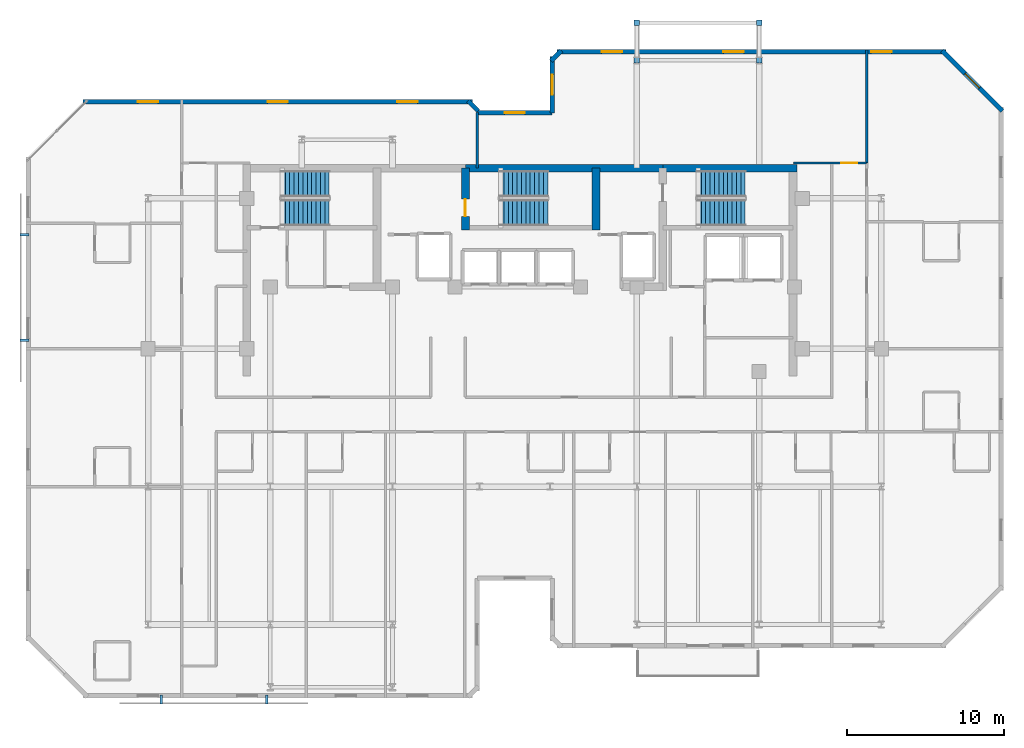
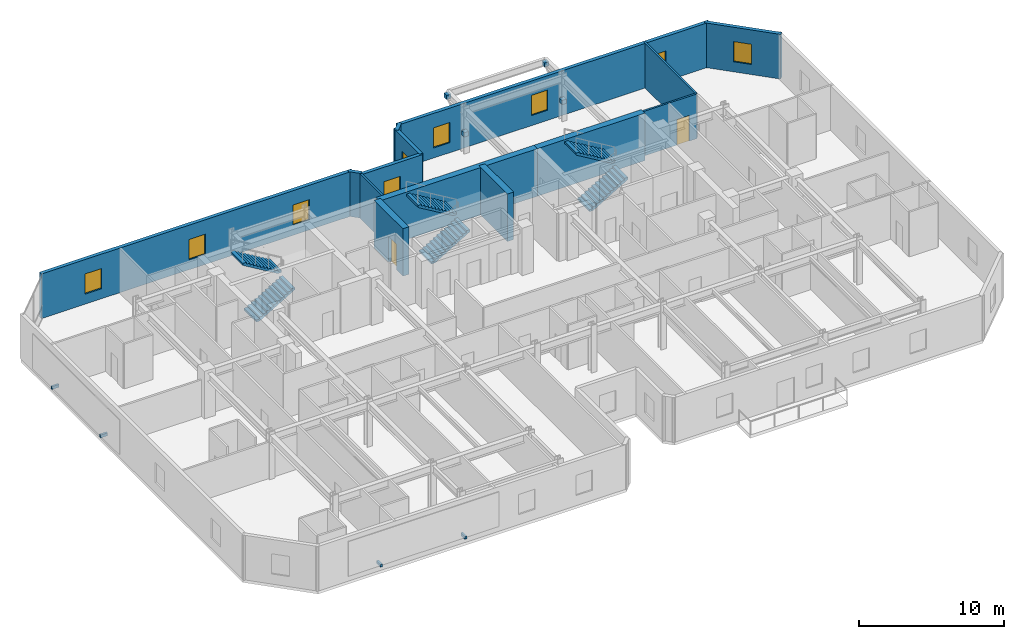
# One storey, part 8 of 10: 14 walls, 9 windows, 8 discrete accessories, 6 stair flights, 2 doors, 11 openings, 3 elements without a shape of their own.
"""IFC4 building model written with IfcOpenShell, lengths in metres."""

from ifc_helpers import new_model, si_unit, direction, frame, frame_2d, origin, origin_2d, place, context, subcontext, project, spatial, polyline, rectangle, outline, extrude, material, layer, layer_set, type_object, element, fill, aggregate, save


model = new_model("IFC4")

# Units and contexts
model_context = context("Model", 3, precision=1e-05, world=origin(), true_north=direction((0.0, 1.0)))
body_context = subcontext(model_context, "Body", "Model", "MODEL_VIEW")
ifc_project = project(units=[si_unit("LENGTHUNIT", "METRE"), si_unit("AREAUNIT", "SQUARE_METRE"), si_unit("VOLUMEUNIT", "CUBIC_METRE"), si_unit("PLANEANGLEUNIT", "RADIAN"), si_unit("MASSUNIT", "GRAM", prefix="KILO")], contexts=[model_context])

# Site, building, storey
site_placement = place(None, origin())
site = spatial("IfcSite", under=ifc_project, at=site_placement, CompositionType="ELEMENT")
building_placement = place(site_placement, origin())
building = spatial("IfcBuilding", under=site, at=building_placement, Name="Kestravale Grand Hotel", CompositionType="ELEMENT")
storey_placement = place(building_placement, frame((0.0, 0.0, 253.39990234375)))
storey = spatial("IfcBuildingStorey", under=building, at=storey_placement, Name="L63", CompositionType="ELEMENT", Elevation=253.39990234375)

# Walls
ifc_material_1 = material(Name="Concrete f'c 50 MPa", Category="concrete")
ifc_layer_1 = layer(ifc_material_1, 0.5)
ifc_layer_set_1 = layer_set([ifc_layer_1], Name="EW-CORE-500")
wall_type_1 = type_object("IfcWallType", Name="EW-CORE-500", PredefinedType="SHEAR", material=ifc_layer_set_1)
wall_1_placement = place(storey_placement, frame((35.85009765625, 40.320068359375, 0.0), z_axis=(0.0, 0.0, 1.0), x_axis=(1.0, 0.0, 0.0)))
element("IfcWall", 1, at=wall_1_placement, inside=storey, type_object=wall_type_1, Name="L63 core shear wall N2", PredefinedType="SHEAR", context=body_context, shape_type="SweptSolid", body=[
    extrude(rectangle(XDim=12.599853515625, YDim=0.5, at=frame_2d((6.2998046875, 0.0))), origin(), (0.0, 0.0, 1.0), 4.0),
])
wall_2_placement = place(storey_placement, frame((48.449951171875, 40.320068359375, 0.0), z_axis=(0.0, 0.0, 1.0), x_axis=(1.0, 0.0, 0.0)))
element("IfcWall", 2, at=wall_2_placement, inside=storey, type_object=wall_type_1, Name="L63 core shear wall N3", PredefinedType="SHEAR", context=body_context, shape_type="SweptSolid", body=[
    extrude(rectangle(XDim=8.570068359375, YDim=0.5, at=frame_2d((4.28515625, 0.0))), origin(), (0.0, 0.0, 1.0), 4.0),
])

# Wall, opening, door
wall_3_placement = place(storey_placement, frame((35.85009765625, 36.3701171875, 0.0), z_axis=(0.0, 0.0, 1.0), x_axis=(0.0, 1.0, 0.0)))
wall_3 = element("IfcWall", 3, at=wall_3_placement, inside=storey, type_object=wall_type_1, Name="L63 core shear wall X2", PredefinedType="SHEAR", context=body_context, shape_type="SweptSolid", body=[
    extrude(rectangle(XDim=3.949951171875, YDim=0.5, at=frame_2d((1.97509765625, 0.0))), origin(), (0.0, 0.0, 1.0), 4.0),
])
opening_1_placement = place(wall_3_placement, frame((0.8798828125, 0.0, 0.0)))
opening_1 = element("IfcOpeningElement", 4, at=opening_1_placement, cuts=wall_3, Name="Opening D-ST-1100", PredefinedType="OPENING", context=body_context, shape_type="SweptSolid", body=[
    extrude(rectangle(XDim=1.10009765625, YDim=2.14990234375, at=frame_2d((0.550048828125, 1.074951171875))), frame((0.0, 0.260009765625, 0.0), z_axis=(0.0, -1.0, 0.0), x_axis=(1.0, 0.0, 0.0)), (0.0, 0.0, 1.0), 0.52001953125),
])
ifc_material_2 = material(Name="Galvanised 90-minute fire-rated steel stair door", Category="steel")
door_type_1 = type_object("IfcDoorType", Name="D-ST-1100", OperationType="NOTDEFINED", PredefinedType="DOOR", material=ifc_material_2)
door_1_placement = place(opening_1_placement, origin())
door_1 = element("IfcDoor", 5, at=door_1_placement, inside=storey, type_object=door_type_1, Name="L63 Stair ST-2 FSAE fire door", OperationType="SINGLE_SWING_RIGHT", OverallHeight=2.14990234375, OverallWidth=1.10009765625, PredefinedType="DOOR", context=body_context, shape_type="SweptSolid", body=[
    extrude(rectangle(XDim=1.10009765625, YDim=2.14990234375, at=frame_2d((0.550048828125, 1.074951171875))), frame((0.0, 0.02490234375, 0.0), z_axis=(0.0, -1.0, 0.0), x_axis=(1.0, 0.0, 0.0)), (0.0, 0.0, 1.0), 0.050048828125),
])
fill(opening_1, door_1)

# Wall
wall_4_placement = place(storey_placement, frame((44.179931640625, 36.3701171875, 0.0), z_axis=(0.0, 0.0, 1.0), x_axis=(0.0, 1.0, 0.0)))
element("IfcWall", 6, at=wall_4_placement, inside=storey, type_object=wall_type_1, Name="L63 core shear wall X3", PredefinedType="SHEAR", context=body_context, shape_type="SweptSolid", body=[
    extrude(rectangle(XDim=3.949951171875, YDim=0.5, at=frame_2d((1.97509765625, 0.0))), origin(), (0.0, 0.0, 1.0), 4.0),
])

# Wall, opening, window
ifc_material_3 = material(Name="Precast concrete f'c 45 MPa", Category="concrete")
ifc_layer_2 = layer(ifc_material_3, 0.280029296875)
ifc_layer_set_2 = layer_set([ifc_layer_2], Name="EW-PREC-280")
wall_type_2 = type_object("IfcWallType", Name="EW-PREC-280", PredefinedType="SOLIDWALL", material=ifc_layer_set_2)
wall_5_placement = place(storey_placement, frame((70.12939453125, 43.97265625, 0.0), z_axis=(0.0, 0.0, 1.0), x_axis=(-0.707106781187, 0.707106781187, 0.0)))
wall_5 = element("IfcWall", 7, at=wall_5_placement, inside=storey, type_object=wall_type_2, Name="L63 fluted precast facade wall 10", PredefinedType="SOLIDWALL", context=body_context, shape_type="SweptSolid", body=[
    extrude(rectangle(XDim=5.4541015625, YDim=0.280029296875, at=frame_2d((2.72705078125, 0.0))), origin(), (0.0, 0.0, 1.0), 3.760009765625),
])
opening_2_placement = place(wall_5_placement, frame((2.076904296875, 0.0, 0.85009765625)))
opening_2 = element("IfcOpeningElement", 8, at=opening_2_placement, cuts=wall_5, Name="Opening W-GUEST-1300", PredefinedType="OPENING", context=body_context, shape_type="SweptSolid", body=[
    extrude(rectangle(XDim=1.300048828125, YDim=1.699951171875, at=frame_2d((0.64990234375, 0.85009765625))), frame((0.0, 0.14990234375, 0.0), z_axis=(0.0, -1.0, 0.0), x_axis=(1.0, 0.0, 0.0)), (0.0, 0.0, 1.0), 0.300048828125),
])
ifc_material_4 = material(Name="Insulated low-E double glazing in aluminium frame", Category="aluminium")
window_type = type_object("IfcWindowType", Name="W-GUEST-1300", PartitioningType="SINGLE_PANEL", PredefinedType="WINDOW", material=ifc_material_4)
window_1_placement = place(opening_2_placement, origin())
window_1 = element("IfcWindow", 9, at=window_1_placement, inside=storey, type_object=window_type, Name="L63 exterior window 10.1", OverallHeight=1.699951171875, OverallWidth=1.300048828125, PartitioningType="SINGLE_PANEL", PredefinedType="WINDOW", context=body_context, shape_type="SweptSolid", body=[
    extrude(rectangle(XDim=1.300048828125, YDim=1.699951171875, at=frame_2d((0.64990234375, 0.85009765625))), frame((0.0, 0.030029296875, 0.0), z_axis=(0.0, -1.0, 0.0), x_axis=(1.0, 0.0, 0.0)), (0.0, 0.0, 1.0), 0.06005859375),
])
fill(opening_2, window_1)

# Wall, openings, windows
wall_6_placement = place(storey_placement, frame((66.5400390625, 47.760009765625, 0.0), z_axis=(0.0, 0.0, 1.0), x_axis=(-1.0, 0.0, 0.0)))
wall_6 = element("IfcWall", 10, at=wall_6_placement, inside=storey, type_object=wall_type_2, Name="L63 fluted precast facade wall 11", PredefinedType="SOLIDWALL", context=body_context, shape_type="SweptSolid", body=[
    extrude(rectangle(XDim=24.830078125, YDim=0.280029296875, at=frame_2d((12.4150390625, 0.0))), origin(), (0.0, 0.0, 1.0), 3.760009765625),
])
opening_3_placement = place(wall_6_placement, frame((3.48828125, 0.0, 0.85009765625)))
opening_3 = element("IfcOpeningElement", 11, at=opening_3_placement, cuts=wall_6, Name="Opening W-GUEST-1300", PredefinedType="OPENING", context=body_context, shape_type="SweptSolid", body=[
    extrude(rectangle(XDim=1.300048828125, YDim=1.699951171875, at=frame_2d((0.64990234375, 0.85009765625))), frame((0.0, 0.14990234375, 0.0), z_axis=(0.0, -1.0, 0.0), x_axis=(1.0, 0.0, 0.0)), (0.0, 0.0, 1.0), 0.300048828125),
])
opening_4_placement = place(wall_6_placement, frame((12.9150390625, 0.0, 0.85009765625)))
opening_4 = element("IfcOpeningElement", 12, at=opening_4_placement, cuts=wall_6, Name="Opening W-GUEST-1300", PredefinedType="OPENING", context=body_context, shape_type="SweptSolid", body=[
    extrude(rectangle(XDim=1.300048828125, YDim=1.699951171875, at=frame_2d((0.64990234375, 0.85009765625))), frame((0.0, 0.14990234375, 0.0), z_axis=(0.0, -1.0, 0.0), x_axis=(1.0, 0.0, 0.0)), (0.0, 0.0, 1.0), 0.300048828125),
])
opening_5_placement = place(wall_6_placement, frame((20.691650390625, 0.0, 0.85009765625)))
opening_5 = element("IfcOpeningElement", 13, at=opening_5_placement, cuts=wall_6, Name="Opening W-GUEST-1300", PredefinedType="OPENING", context=body_context, shape_type="SweptSolid", body=[
    extrude(rectangle(XDim=1.300048828125, YDim=1.699951171875, at=frame_2d((0.64990234375, 0.85009765625))), frame((0.0, 0.14990234375, 0.0), z_axis=(0.0, -1.0, 0.0), x_axis=(1.0, 0.0, 0.0)), (0.0, 0.0, 1.0), 0.300048828125),
])
window_2_placement = place(opening_3_placement, origin())
window_2 = element("IfcWindow", 14, at=window_2_placement, inside=storey, type_object=window_type, Name="L63 exterior window 11.1", OverallHeight=1.699951171875, OverallWidth=1.300048828125, PartitioningType="SINGLE_PANEL", PredefinedType="WINDOW", context=body_context, shape_type="SweptSolid", body=[
    extrude(rectangle(XDim=1.300048828125, YDim=1.699951171875, at=frame_2d((0.64990234375, 0.85009765625))), frame((0.0, 0.030029296875, 0.0), z_axis=(0.0, -1.0, 0.0), x_axis=(1.0, 0.0, 0.0)), (0.0, 0.0, 1.0), 0.06005859375),
])
fill(opening_3, window_2)
window_3_placement = place(opening_4_placement, origin())
window_3 = element("IfcWindow", 15, at=window_3_placement, inside=storey, type_object=window_type, Name="L63 exterior window 11.2", OverallHeight=1.699951171875, OverallWidth=1.300048828125, PartitioningType="SINGLE_PANEL", PredefinedType="WINDOW", context=body_context, shape_type="SweptSolid", body=[
    extrude(rectangle(XDim=1.300048828125, YDim=1.699951171875, at=frame_2d((0.64990234375, 0.85009765625))), frame((0.0, 0.030029296875, 0.0), z_axis=(0.0, -1.0, 0.0), x_axis=(1.0, 0.0, 0.0)), (0.0, 0.0, 1.0), 0.06005859375),
])
fill(opening_4, window_3)
window_4_placement = place(opening_5_placement, origin())
window_4 = element("IfcWindow", 16, at=window_4_placement, inside=storey, type_object=window_type, Name="L63 exterior window 11.3", OverallHeight=1.699951171875, OverallWidth=1.300048828125, PartitioningType="SINGLE_PANEL", PredefinedType="WINDOW", context=body_context, shape_type="SweptSolid", body=[
    extrude(rectangle(XDim=1.300048828125, YDim=1.699951171875, at=frame_2d((0.64990234375, 0.85009765625))), frame((0.0, 0.030029296875, 0.0), z_axis=(0.0, -1.0, 0.0), x_axis=(1.0, 0.0, 0.0)), (0.0, 0.0, 1.0), 0.06005859375),
])
fill(opening_5, window_4)

# Wall
wall_7_placement = place(storey_placement, frame((41.977294921875, 47.829345703125, 0.0), z_axis=(0.0, 0.0, 1.0), x_axis=(-0.706975312048, -0.707238225886, 0.0)))
element("IfcWall", 17, at=wall_7_placement, inside=storey, type_object=wall_type_2, Name="L63 fluted precast facade wall 12", PredefinedType="SOLIDWALL", context=body_context, shape_type="SweptSolid", body=[
    extrude(rectangle(XDim=0.9287109375, YDim=0.280029296875, at=frame_2d((0.46435546875, 0.0))), origin(), (0.0, 0.0, 1.0), 3.760009765625),
])

# Wall, opening, window
wall_8_placement = place(storey_placement, frame((41.389892578125, 47.43994140625, 0.0), z_axis=(0.0, 0.0, 1.0), x_axis=(0.0, -1.0, 0.0)))
wall_8 = element("IfcWall", 18, at=wall_8_placement, inside=storey, type_object=wall_type_2, Name="L63 fluted precast facade wall 13", PredefinedType="SOLIDWALL", context=body_context, shape_type="SweptSolid", body=[
    extrude(rectangle(XDim=3.579833984375, YDim=0.280029296875, at=frame_2d((1.7900390625, 0.0))), origin(), (0.0, 0.0, 1.0), 3.760009765625),
])
opening_6_placement = place(wall_8_placement, frame((1.139892578125, 0.0, 0.85009765625)))
opening_6 = element("IfcOpeningElement", 19, at=opening_6_placement, cuts=wall_8, Name="Opening W-GUEST-1300", PredefinedType="OPENING", context=body_context, shape_type="SweptSolid", body=[
    extrude(rectangle(XDim=1.300048828125, YDim=1.699951171875, at=frame_2d((0.64990234375, 0.85009765625))), frame((0.0, 0.14990234375, 0.0), z_axis=(0.0, -1.0, 0.0), x_axis=(1.0, 0.0, 0.0)), (0.0, 0.0, 1.0), 0.300048828125),
])
window_5_placement = place(opening_6_placement, origin())
window_5 = element("IfcWindow", 20, at=window_5_placement, inside=storey, type_object=window_type, Name="L63 exterior window 13.1", OverallHeight=1.699951171875, OverallWidth=1.300048828125, PartitioningType="SINGLE_PANEL", PredefinedType="WINDOW", context=body_context, shape_type="SweptSolid", body=[
    extrude(rectangle(XDim=1.300048828125, YDim=1.699951171875, at=frame_2d((0.64990234375, 0.85009765625))), frame((0.0, 0.030029296875, 0.0), z_axis=(0.0, -1.0, 0.0), x_axis=(1.0, 0.0, 0.0)), (0.0, 0.0, 1.0), 0.06005859375),
])
fill(opening_6, window_5)

wall_9_placement = place(storey_placement, frame((41.389892578125, 43.860107421875, 0.0), z_axis=(0.0, 0.0, 1.0), x_axis=(-1.0, 0.0, 0.0)))
wall_9 = element("IfcWall", 21, at=wall_9_placement, inside=storey, type_object=wall_type_2, Name="L63 fluted precast facade wall 14", PredefinedType="SOLIDWALL", context=body_context, shape_type="SweptSolid", body=[
    extrude(rectangle(XDim=4.77978515625, YDim=0.280029296875, at=frame_2d((2.389892578125, 0.0))), origin(), (0.0, 0.0, 1.0), 3.760009765625),
])
opening_7_placement = place(wall_9_placement, frame((1.739990234375, 0.0, 0.85009765625)))
opening_7 = element("IfcOpeningElement", 22, at=opening_7_placement, cuts=wall_9, Name="Opening W-GUEST-1300", PredefinedType="OPENING", context=body_context, shape_type="SweptSolid", body=[
    extrude(rectangle(XDim=1.300048828125, YDim=1.699951171875, at=frame_2d((0.64990234375, 0.85009765625))), frame((0.0, 0.14990234375, 0.0), z_axis=(0.0, -1.0, 0.0), x_axis=(1.0, 0.0, 0.0)), (0.0, 0.0, 1.0), 0.300048828125),
])
window_6_placement = place(opening_7_placement, origin())
window_6 = element("IfcWindow", 23, at=window_6_placement, inside=storey, type_object=window_type, Name="L63 exterior window 14.1", OverallHeight=1.699951171875, OverallWidth=1.300048828125, PartitioningType="SINGLE_PANEL", PredefinedType="WINDOW", context=body_context, shape_type="SweptSolid", body=[
    extrude(rectangle(XDim=1.300048828125, YDim=1.699951171875, at=frame_2d((0.64990234375, 0.85009765625))), frame((0.0, 0.030029296875, 0.0), z_axis=(0.0, -1.0, 0.0), x_axis=(1.0, 0.0, 0.0)), (0.0, 0.0, 1.0), 0.06005859375),
])
fill(opening_7, window_6)

# Wall
wall_10_placement = place(storey_placement, frame((36.67919921875, 43.97265625, 0.0), z_axis=(0.0, 0.0, 1.0), x_axis=(-0.706975312048, 0.707238225886, 0.0)))
element("IfcWall", 24, at=wall_10_placement, inside=storey, type_object=wall_type_2, Name="L63 fluted precast facade wall 16", PredefinedType="SOLIDWALL", context=body_context, shape_type="SweptSolid", body=[
    extrude(rectangle(XDim=0.9287109375, YDim=0.280029296875, at=frame_2d((0.46435546875, 0.0))), origin(), (0.0, 0.0, 1.0), 3.760009765625),
])

# Wall, openings, windows
wall_11_placement = place(storey_placement, frame((36.2900390625, 44.56005859375, 0.0), z_axis=(0.0, 0.0, 1.0), x_axis=(-1.0, 0.0, 0.0)))
wall_11 = element("IfcWall", 25, at=wall_11_placement, inside=storey, type_object=wall_type_2, Name="L63 fluted precast facade wall 17", PredefinedType="SOLIDWALL", context=body_context, shape_type="SweptSolid", body=[
    extrude(rectangle(XDim=24.830078125, YDim=0.280029296875, at=frame_2d((12.4150390625, 0.0))), origin(), (0.0, 0.0, 1.0), 3.760009765625),
])
opening_8_placement = place(wall_11_placement, frame((3.48828125, 0.0, 0.85009765625)))
opening_8 = element("IfcOpeningElement", 26, at=opening_8_placement, cuts=wall_11, Name="Opening W-GUEST-1300", PredefinedType="OPENING", context=body_context, shape_type="SweptSolid", body=[
    extrude(rectangle(XDim=1.300048828125, YDim=1.699951171875, at=frame_2d((0.64990234375, 0.85009765625))), frame((0.0, 0.14990234375, 0.0), z_axis=(0.0, -1.0, 0.0), x_axis=(1.0, 0.0, 0.0)), (0.0, 0.0, 1.0), 0.300048828125),
])
opening_9_placement = place(wall_11_placement, frame((11.764892578125, 0.0, 0.85009765625)))
opening_9 = element("IfcOpeningElement", 27, at=opening_9_placement, cuts=wall_11, Name="Opening W-GUEST-1300", PredefinedType="OPENING", context=body_context, shape_type="SweptSolid", body=[
    extrude(rectangle(XDim=1.300048828125, YDim=1.699951171875, at=frame_2d((0.64990234375, 0.85009765625))), frame((0.0, 0.14990234375, 0.0), z_axis=(0.0, -1.0, 0.0), x_axis=(1.0, 0.0, 0.0)), (0.0, 0.0, 1.0), 0.300048828125),
])
opening_10_placement = place(wall_11_placement, frame((20.041748046875, 0.0, 0.85009765625)))
opening_10 = element("IfcOpeningElement", 28, at=opening_10_placement, cuts=wall_11, Name="Opening W-GUEST-1300", PredefinedType="OPENING", context=body_context, shape_type="SweptSolid", body=[
    extrude(rectangle(XDim=1.300048828125, YDim=1.699951171875, at=frame_2d((0.64990234375, 0.85009765625))), frame((0.0, 0.14990234375, 0.0), z_axis=(0.0, -1.0, 0.0), x_axis=(1.0, 0.0, 0.0)), (0.0, 0.0, 1.0), 0.300048828125),
])
window_7_placement = place(opening_8_placement, origin())
window_7 = element("IfcWindow", 29, at=window_7_placement, inside=storey, type_object=window_type, Name="L63 exterior window 17.1", OverallHeight=1.699951171875, OverallWidth=1.300048828125, PartitioningType="SINGLE_PANEL", PredefinedType="WINDOW", context=body_context, shape_type="SweptSolid", body=[
    extrude(rectangle(XDim=1.300048828125, YDim=1.699951171875, at=frame_2d((0.64990234375, 0.85009765625))), frame((0.0, 0.030029296875, 0.0), z_axis=(0.0, -1.0, 0.0), x_axis=(1.0, 0.0, 0.0)), (0.0, 0.0, 1.0), 0.06005859375),
])
fill(opening_8, window_7)
window_8_placement = place(opening_9_placement, origin())
window_8 = element("IfcWindow", 30, at=window_8_placement, inside=storey, type_object=window_type, Name="L63 exterior window 17.2", OverallHeight=1.699951171875, OverallWidth=1.300048828125, PartitioningType="SINGLE_PANEL", PredefinedType="WINDOW", context=body_context, shape_type="SweptSolid", body=[
    extrude(rectangle(XDim=1.300048828125, YDim=1.699951171875, at=frame_2d((0.64990234375, 0.85009765625))), frame((0.0, 0.030029296875, 0.0), z_axis=(0.0, -1.0, 0.0), x_axis=(1.0, 0.0, 0.0)), (0.0, 0.0, 1.0), 0.06005859375),
])
fill(opening_9, window_8)
window_9_placement = place(opening_10_placement, origin())
window_9 = element("IfcWindow", 31, at=window_9_placement, inside=storey, type_object=window_type, Name="L63 exterior window 17.3", OverallHeight=1.699951171875, OverallWidth=1.300048828125, PartitioningType="SINGLE_PANEL", PredefinedType="WINDOW", context=body_context, shape_type="SweptSolid", body=[
    extrude(rectangle(XDim=1.300048828125, YDim=1.699951171875, at=frame_2d((0.64990234375, 0.85009765625))), frame((0.0, 0.030029296875, 0.0), z_axis=(0.0, -1.0, 0.0), x_axis=(1.0, 0.0, 0.0)), (0.0, 0.0, 1.0), 0.06005859375),
])
fill(opening_10, window_9)

# Wall, opening, door
ifc_material_5 = material(Name="Double-stud STC 52 acoustic demising partition", Category="other")
ifc_layer_3 = layer(ifc_material_5, 0.14990234375)
ifc_layer_set_3 = layer_set([ifc_layer_3], Name="IW-UNIT-150")
wall_type_3 = type_object("IfcWallType", Name="IW-UNIT-150", PredefinedType="PARTITIONING", material=ifc_layer_set_3)
wall_12_placement = place(storey_placement, frame((56.800048828125, 40.64990234375, 0.0), z_axis=(0.0, 0.0, 1.0), x_axis=(1.0, 0.0, 0.0)))
wall_12 = element("IfcWall", 32, at=wall_12_placement, inside=storey, type_object=wall_type_3, Name="W-L63-SE-N", PredefinedType="PARTITIONING", context=body_context, shape_type="SweptSolid", body=[
    extrude(rectangle(XDim=4.659912109375, YDim=0.14990234375, at=frame_2d((2.330078125, 0.0))), origin(), (0.0, 0.0, 1.0), 3.760009765625),
])
opening_11_placement = place(wall_12_placement, frame((3.050048828125, 0.0, 0.0)))
opening_11 = element("IfcOpeningElement", 33, at=opening_11_placement, cuts=wall_12, Name="Opening D-GUEST-1000", PredefinedType="OPENING", context=body_context, shape_type="SweptSolid", body=[
    extrude(rectangle(XDim=1.0, YDim=2.14990234375, at=frame_2d((0.5, 1.074951171875))), frame((0.0, 0.0849609375, 0.0), z_axis=(0.0, -1.0, 0.0), x_axis=(1.0, 0.0, 0.0)), (0.0, 0.0, 1.0), 0.169921875),
])
ifc_material_6 = material(Name="Accessible walnut veneer hotel entrance fire door", Category="wood")
door_type_2 = type_object("IfcDoorType", Name="D-GUEST-1000", OperationType="NOTDEFINED", PredefinedType="DOOR", material=ifc_material_6)
door_2_placement = place(opening_11_placement, origin())
door_2 = element("IfcDoor", 34, at=door_2_placement, inside=storey, type_object=door_type_2, Name="L63 NE Gallery Door", OperationType="SINGLE_SWING_LEFT", OverallHeight=2.14990234375, OverallWidth=1.0, PredefinedType="DOOR", context=body_context, shape_type="SweptSolid", body=[
    extrude(rectangle(XDim=1.0, YDim=2.14990234375, at=frame_2d((0.5, 1.074951171875))), frame((0.0, 0.02490234375, 0.0), z_axis=(0.0, -1.0, 0.0), x_axis=(1.0, 0.0, 0.0)), (0.0, 0.0, 1.0), 0.050048828125),
])
fill(opening_11, door_2)

# Walls
wall_13_placement = place(storey_placement, frame((36.60009765625, 40.320068359375, 0.0), z_axis=(0.0, 0.0, 1.0), x_axis=(0.0, 1.0, 0.0)))
element("IfcWall", 35, at=wall_13_placement, inside=storey, type_object=wall_type_3, Name="W-L63-NGM", PredefinedType="PARTITIONING", context=body_context, shape_type="SweptSolid", body=[
    extrude(rectangle(XDim=3.544921875, YDim=0.14990234375, at=frame_2d((1.7724609375, 0.0))), origin(), (0.0, 0.0, 1.0), 3.760009765625),
])
wall_14_placement = place(storey_placement, frame((61.4599609375, 40.64990234375, 0.0), z_axis=(0.0, 0.0, 1.0), x_axis=(0.0, 1.0, 0.0)))
element("IfcWall", 36, at=wall_14_placement, inside=storey, type_object=wall_type_3, Name="W-L63-NGE-E", PredefinedType="PARTITIONING", context=body_context, shape_type="SweptSolid", body=[
    extrude(rectangle(XDim=7.22998046875, YDim=0.14990234375, at=frame_2d((3.614990234375, 0.0))), origin(), (0.0, 0.0, 1.0), 3.760009765625),
])

# Stair, stair flights
ifc_material_7 = material(Name="Concrete f'c 45 MPa", Category="concrete")
stair_type = type_object("IfcStairType", Name="ST-CORE-400", PredefinedType="HALF_TURN_STAIR", material=ifc_material_7)
stair_1_placement = place(storey_placement, origin())
stair_1 = element("IfcStair", 37, at=stair_1_placement, inside=storey, type_object=stair_type, Name="L63 ST-1", PredefinedType="HALF_TURN_STAIR")
ifc_material_8 = material(Name="Concrete f'c 45 MPa", Category="concrete")
stair_flight_type = type_object("IfcStairFlightType", Name="STF-CORE-400", PredefinedType="STRAIGHT", material=ifc_material_8)
stair_flight_1_placement = place(storey_placement, frame((24.080078125, 37.489990234375, 0.0), z_axis=(0.0, 0.0, 1.0), x_axis=(1.0, 0.0, 0.0)))
stair_flight_1 = element("IfcStairFlight", 38, at=stair_flight_1_placement, type_object=stair_flight_type, Name="ST-1 flight 1", NumberOfRisers=12, NumberOfTreads=11, PredefinedType="STRAIGHT", RiserHeight=0.166666667, TreadLength=0.28, context=body_context, shape_type="SweptSolid", body=[
    extrude(outline(polyline([(0.0, 0.0), (0.0, 0.166748046875), (0.280029296875, 0.166748046875), (0.280029296875, 0.333251953125), (0.56005859375, 0.333251953125), (0.56005859375, 0.5), (0.840087890625, 0.5), (0.840087890625, 0.666748046875), (1.1201171875, 0.666748046875), (1.1201171875, 0.833251953125), (1.39990234375, 0.833251953125), (1.39990234375, 1.0), (1.679931640625, 1.0), (1.679931640625, 1.166748046875), (1.9599609375, 1.166748046875), (1.9599609375, 1.333251953125), (2.239990234375, 1.333251953125), (2.239990234375, 1.5), (2.52001953125, 1.5), (2.52001953125, 1.666748046875), (2.800048828125, 1.666748046875), (2.800048828125, 1.833251953125), (3.080078125, 1.833251953125), (3.080078125, 2.0), (3.080078125, 1.658935546875), (0.29296875, 0.0), (0.0, 0.0)])), frame((0.0, 0.83984375, 0.0), z_axis=(0.0, -1.0, 0.0), x_axis=(1.0, 0.0, 0.0)), (0.0, 0.0, 1.0), 1.679931640625),
])
stair_flight_2_placement = place(storey_placement, frame((27.159912109375, 39.320068359375, 2.0), z_axis=(0.0, 0.0, 1.0), x_axis=(-1.0, 0.0, 0.0)))
stair_flight_2 = element("IfcStairFlight", 39, at=stair_flight_2_placement, type_object=stair_flight_type, Name="ST-1 flight 2", NumberOfRisers=12, NumberOfTreads=11, PredefinedType="STRAIGHT", RiserHeight=0.166666667, TreadLength=0.28, context=body_context, shape_type="SweptSolid", body=[
    extrude(outline(polyline([(0.0, 0.0), (0.0, 0.166748046875), (0.280029296875, 0.166748046875), (0.280029296875, 0.333251953125), (0.56005859375, 0.333251953125), (0.56005859375, 0.5), (0.840087890625, 0.5), (0.840087890625, 0.666748046875), (1.1201171875, 0.666748046875), (1.1201171875, 0.833251953125), (1.39990234375, 0.833251953125), (1.39990234375, 1.0), (1.679931640625, 1.0), (1.679931640625, 1.166748046875), (1.9599609375, 1.166748046875), (1.9599609375, 1.333251953125), (2.239990234375, 1.333251953125), (2.239990234375, 1.5), (2.52001953125, 1.5), (2.52001953125, 1.666748046875), (2.800048828125, 1.666748046875), (2.800048828125, 1.833251953125), (3.080078125, 1.833251953125), (3.080078125, 2.0), (3.080078125, 1.658935546875), (0.29296875, 0.0), (0.0, 0.0)])), frame((0.0, 0.83984375, 0.0), z_axis=(0.0, -1.0, 0.0), x_axis=(1.0, 0.0, 0.0)), (0.0, 0.0, 1.0), 1.679931640625),
])
aggregate(stair_1, [stair_flight_1, stair_flight_2])

stair_2_placement = place(storey_placement, origin())
stair_2 = element("IfcStair", 40, at=stair_2_placement, inside=storey, type_object=stair_type, Name="L63 ST-2", PredefinedType="HALF_TURN_STAIR")
stair_flight_3_placement = place(storey_placement, frame((38.030029296875, 37.489990234375, 0.0), z_axis=(0.0, 0.0, 1.0), x_axis=(1.0, 0.0, 0.0)))
stair_flight_3 = element("IfcStairFlight", 41, at=stair_flight_3_placement, type_object=stair_flight_type, Name="ST-2 flight 1", NumberOfRisers=12, NumberOfTreads=11, PredefinedType="STRAIGHT", RiserHeight=0.166666667, TreadLength=0.28, context=body_context, shape_type="SweptSolid", body=[
    extrude(outline(polyline([(0.0, 0.0), (0.0, 0.166748046875), (0.280029296875, 0.166748046875), (0.280029296875, 0.333251953125), (0.56005859375, 0.333251953125), (0.56005859375, 0.5), (0.840087890625, 0.5), (0.840087890625, 0.666748046875), (1.1201171875, 0.666748046875), (1.1201171875, 0.833251953125), (1.39990234375, 0.833251953125), (1.39990234375, 1.0), (1.679931640625, 1.0), (1.679931640625, 1.166748046875), (1.9599609375, 1.166748046875), (1.9599609375, 1.333251953125), (2.239990234375, 1.333251953125), (2.239990234375, 1.5), (2.52001953125, 1.5), (2.52001953125, 1.666748046875), (2.800048828125, 1.666748046875), (2.800048828125, 1.833251953125), (3.080078125, 1.833251953125), (3.080078125, 2.0), (3.080078125, 1.658935546875), (0.29296875, 0.0), (0.0, 0.0)])), frame((0.0, 0.83984375, 0.0), z_axis=(0.0, -1.0, 0.0), x_axis=(1.0, 0.0, 0.0)), (0.0, 0.0, 1.0), 1.679931640625),
])
stair_flight_4_placement = place(storey_placement, frame((41.110107421875, 39.320068359375, 2.0), z_axis=(0.0, 0.0, 1.0), x_axis=(-1.0, 0.0, 0.0)))
stair_flight_4 = element("IfcStairFlight", 42, at=stair_flight_4_placement, type_object=stair_flight_type, Name="ST-2 flight 2", NumberOfRisers=12, NumberOfTreads=11, PredefinedType="STRAIGHT", RiserHeight=0.166666667, TreadLength=0.28, context=body_context, shape_type="SweptSolid", body=[
    extrude(outline(polyline([(0.0, 0.0), (0.0, 0.166748046875), (0.280029296875, 0.166748046875), (0.280029296875, 0.333251953125), (0.56005859375, 0.333251953125), (0.56005859375, 0.5), (0.840087890625, 0.5), (0.840087890625, 0.666748046875), (1.1201171875, 0.666748046875), (1.1201171875, 0.833251953125), (1.39990234375, 0.833251953125), (1.39990234375, 1.0), (1.679931640625, 1.0), (1.679931640625, 1.166748046875), (1.9599609375, 1.166748046875), (1.9599609375, 1.333251953125), (2.239990234375, 1.333251953125), (2.239990234375, 1.5), (2.52001953125, 1.5), (2.52001953125, 1.666748046875), (2.800048828125, 1.666748046875), (2.800048828125, 1.833251953125), (3.080078125, 1.833251953125), (3.080078125, 2.0), (3.080078125, 1.658935546875), (0.29296875, 0.0), (0.0, 0.0)])), frame((0.0, 0.83984375, 0.0), z_axis=(0.0, -1.0, 0.0), x_axis=(1.0, 0.0, 0.0)), (0.0, 0.0, 1.0), 1.679931640625),
])
aggregate(stair_2, [stair_flight_3, stair_flight_4])

stair_3_placement = place(storey_placement, origin())
stair_3 = element("IfcStair", 43, at=stair_3_placement, inside=storey, type_object=stair_type, Name="L63 ST-3", PredefinedType="HALF_TURN_STAIR")
stair_flight_5_placement = place(storey_placement, frame((50.6298828125, 37.489990234375, 0.0), z_axis=(0.0, 0.0, 1.0), x_axis=(1.0, 0.0, 0.0)))
stair_flight_5 = element("IfcStairFlight", 44, at=stair_flight_5_placement, type_object=stair_flight_type, Name="ST-3 flight 1", NumberOfRisers=12, NumberOfTreads=11, PredefinedType="STRAIGHT", RiserHeight=0.166666667, TreadLength=0.28, context=body_context, shape_type="SweptSolid", body=[
    extrude(outline(polyline([(0.0, 0.0), (0.0, 0.166748046875), (0.280029296875, 0.166748046875), (0.280029296875, 0.333251953125), (0.56005859375, 0.333251953125), (0.56005859375, 0.5), (0.840087890625, 0.5), (0.840087890625, 0.666748046875), (1.1201171875, 0.666748046875), (1.1201171875, 0.833251953125), (1.39990234375, 0.833251953125), (1.39990234375, 1.0), (1.679931640625, 1.0), (1.679931640625, 1.166748046875), (1.9599609375, 1.166748046875), (1.9599609375, 1.333251953125), (2.239990234375, 1.333251953125), (2.239990234375, 1.5), (2.52001953125, 1.5), (2.52001953125, 1.666748046875), (2.800048828125, 1.666748046875), (2.800048828125, 1.833251953125), (3.080078125, 1.833251953125), (3.080078125, 2.0), (3.080078125, 1.658935546875), (0.29296875, 0.0), (0.0, 0.0)])), frame((0.0, 0.83984375, 0.0), z_axis=(0.0, -1.0, 0.0), x_axis=(1.0, 0.0, 0.0)), (0.0, 0.0, 1.0), 1.679931640625),
])
stair_flight_6_placement = place(storey_placement, frame((53.7099609375, 39.320068359375, 2.0), z_axis=(0.0, 0.0, 1.0), x_axis=(-1.0, 0.0, 0.0)))
stair_flight_6 = element("IfcStairFlight", 45, at=stair_flight_6_placement, type_object=stair_flight_type, Name="ST-3 flight 2", NumberOfRisers=12, NumberOfTreads=11, PredefinedType="STRAIGHT", RiserHeight=0.166666667, TreadLength=0.28, context=body_context, shape_type="SweptSolid", body=[
    extrude(outline(polyline([(0.0, 0.0), (0.0, 0.166748046875), (0.280029296875, 0.166748046875), (0.280029296875, 0.333251953125), (0.56005859375, 0.333251953125), (0.56005859375, 0.5), (0.840087890625, 0.5), (0.840087890625, 0.666748046875), (1.1201171875, 0.666748046875), (1.1201171875, 0.833251953125), (1.39990234375, 0.833251953125), (1.39990234375, 1.0), (1.679931640625, 1.0), (1.679931640625, 1.166748046875), (1.9599609375, 1.166748046875), (1.9599609375, 1.333251953125), (2.239990234375, 1.333251953125), (2.239990234375, 1.5), (2.52001953125, 1.5), (2.52001953125, 1.666748046875), (2.800048828125, 1.666748046875), (2.800048828125, 1.833251953125), (3.080078125, 1.833251953125), (3.080078125, 2.0), (3.080078125, 1.658935546875), (0.29296875, 0.0), (0.0, 0.0)])), frame((0.0, 0.83984375, 0.0), z_axis=(0.0, -1.0, 0.0), x_axis=(1.0, 0.0, 0.0)), (0.0, 0.0, 1.0), 1.679931640625),
])
aggregate(stair_3, [stair_flight_5, stair_flight_6])

# Discrete accessories
ifc_material_9 = material(Name="Steel ASTM A572 Grade 50 hot-dip galvanised bracket", Category="steel")
discrete_accessory_type = type_object("IfcDiscreteAccessoryType", Name="ACC-BRK-STL", PredefinedType="BRACKET", material=ifc_material_9)
for number, where, z_axis, x_axis, name in (
    (46, (46.800048828125, 47.199951171875, 1.39404296875), (0.0, 0.0, 1.0), (1.0, 0.0, 0.0), "L64 terrace strut column bracket 1"),
    (47, (46.800048828125, 49.60009765625, 3.09423828125), (0.0, 0.0, 1.0), (1.0, 0.0, 0.0), "L64 terrace strut beam bracket 1"),
    (48, (54.60009765625, 47.199951171875, 1.39404296875), (0.0, 0.0, 1.0), (1.0, 0.0, 0.0), "L64 terrace strut column bracket 2"),
    (49, (54.60009765625, 49.60009765625, 3.09423828125), (0.0, 0.0, 1.0), (1.0, 0.0, 0.0), "L64 terrace strut beam bracket 2"),
):
    element("IfcDiscreteAccessory", number, at=place(storey_placement, frame(where, z_axis=z_axis, x_axis=x_axis)), inside=storey, type_object=discrete_accessory_type, Name=name, PredefinedType="BRACKET", context=body_context, shape_type="SweptSolid", body=[
        extrude(rectangle(XDim=0.360107421875, YDim=0.360107421875, at=origin_2d()), origin(), (0.0, 0.0, 1.0), 0.360107421875),
    ])
for number, where, z_axis, x_axis, name in (
    (50, (16.43994140625, 6.405029296875, 0.56005859375), (0.0, 0.0, 1.0), (1.0, 0.0, 0.0), "L63 solar screen standoff bracket 1"),
    (51, (23.159912109375, 6.405029296875, 0.56005859375), (0.0, 0.0, 1.0), (1.0, 0.0, 0.0), "L63 solar screen standoff bracket 2"),
    (52, (7.705078125, 36.06005859375, 0.56005859375), (0.0, 0.0, 1.0), (0.0, -1.0, 0.0), "L63 solar screen standoff bracket 1"),
    (53, (7.705078125, 29.340087890625, 0.56005859375), (0.0, 0.0, 1.0), (0.0, -1.0, 0.0), "L63 solar screen standoff bracket 2"),
):
    element("IfcDiscreteAccessory", number, at=place(storey_placement, frame(where, z_axis=z_axis, x_axis=x_axis)), inside=storey, type_object=discrete_accessory_type, Name=name, PredefinedType="BRACKET", context=body_context, shape_type="SweptSolid", body=[
        extrude(rectangle(XDim=0.159912109375, YDim=0.56005859375, at=origin_2d()), origin(), (0.0, 0.0, 1.0), 0.239990234375),
    ])

save(model, "model.ifc")
